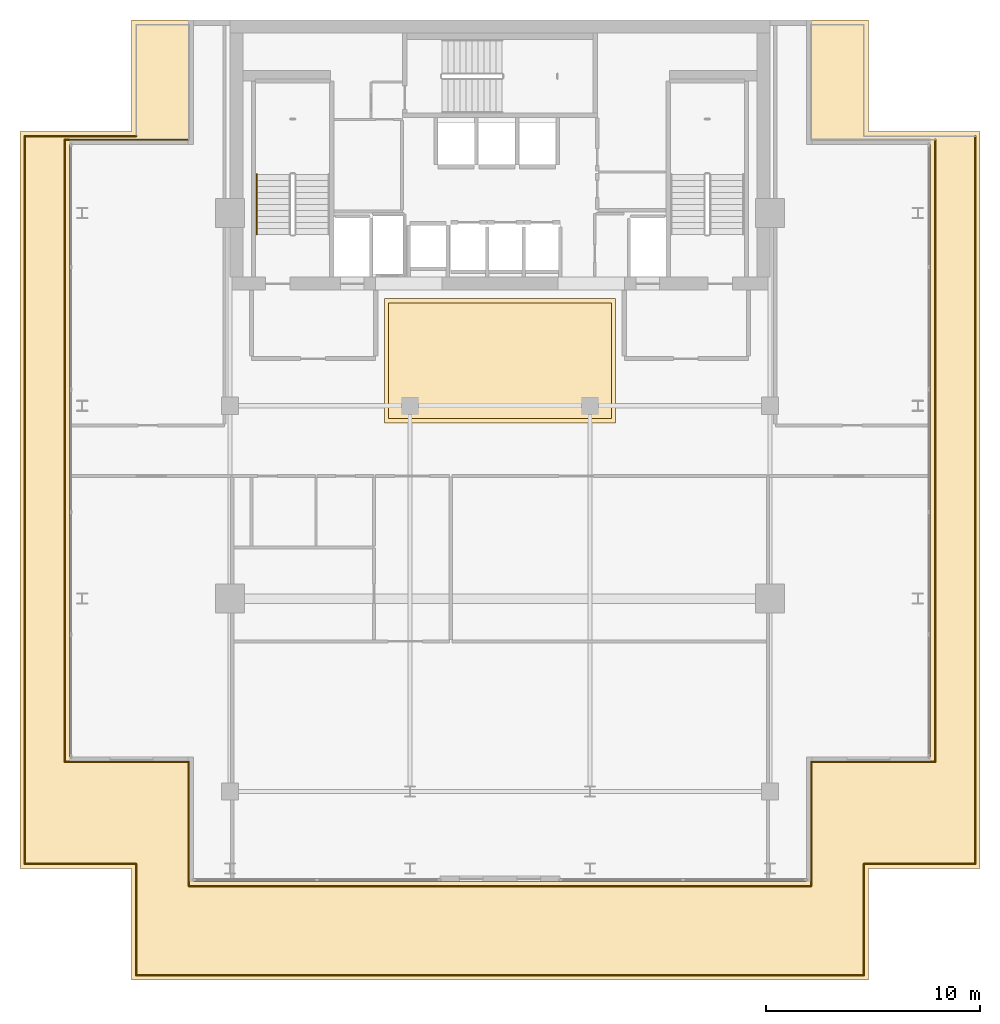
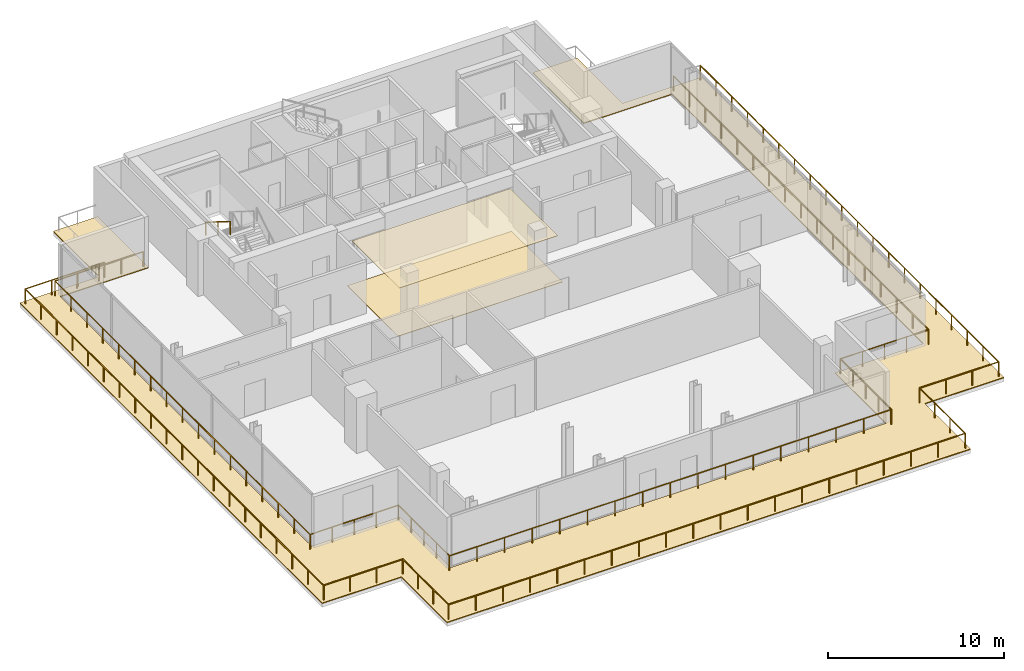
# One storey, part 19 of 21: 17 railings, 3 coverings.
"""IFC4 building model written with IfcOpenShell, lengths in metres."""

from ifc_helpers import new_model, si_unit, direction, frame, origin, origin_2d, place, context, subcontext, project, spatial, polyline, circle, outline, extrude, material, layer, layer_set, type_object, element, save


model = new_model("IFC4")

# Units and contexts
model_context = context("Model", 3, precision=1e-05, world=origin(), true_north=direction((0.0, 1.0)))
body_context = subcontext(model_context, "Body", "Model", "MODEL_VIEW")
ifc_project = project(units=[si_unit("LENGTHUNIT", "METRE"), si_unit("AREAUNIT", "SQUARE_METRE"), si_unit("VOLUMEUNIT", "CUBIC_METRE"), si_unit("PLANEANGLEUNIT", "RADIAN"), si_unit("MASSUNIT", "GRAM", prefix="KILO")], contexts=[model_context])

# Site, building, storey
site_placement = place(None, origin())
site = spatial("IfcSite", under=ifc_project, at=site_placement, CompositionType="ELEMENT")
building_placement = place(site_placement, origin())
building = spatial("IfcBuilding", under=site, at=building_placement, Name="Maruvema Waterfront Hotel and Observation Tower", CompositionType="ELEMENT")
storey_placement = place(building_placement, frame((0.0, 0.0, 322.0)))
storey = spatial("IfcBuildingStorey", under=building, at=storey_placement, Name="L79", CompositionType="ELEMENT", Elevation=322.0)

# Coverings
ifc_material_1 = material(Name="SBS modified bitumen waterproofing with granite ballast", Category="masonry")
ifc_layer_1 = layer(ifc_material_1, 0.090087890625, Name="Elastomeric Waterproof Roof Membrane and Granite Ballast 90 mm")
ifc_layer_set_1 = layer_set([ifc_layer_1], Name="SBS modified bitumen waterproofing with granite ballast")
covering_type_1 = type_object("IfcCoveringType", Name="Elastomeric Waterproof Roof Membrane and Granite Ballast 90 mm", PredefinedType="ROOFING", material=ifc_layer_set_1)
covering_1_placement = place(storey_placement, origin())
element("IfcCovering", 1, at=covering_1_placement, inside=storey, type_object=covering_type_1, Name="L79 Setback Terrace Waterproofing and Pavers 1", PredefinedType="ROOFING", context=body_context, shape_type="SweptSolid", body=[
    extrude(outline(polyline([(55.0, 54.0), (55.0, 48.800048828125), (60.199951171875, 48.800048828125), (60.199951171875, 14.39990234375), (55.0, 14.39990234375), (55.0, 9.199951171875), (20.60009765625, 9.199951171875), (20.60009765625, 14.39990234375), (15.39990234375, 14.39990234375), (15.39990234375, 48.800048828125), (20.60009765625, 48.800048828125), (20.60009765625, 54.0), (23.5, 54.0), (23.5, 48.199951171875), (17.699951171875, 48.199951171875), (17.699951171875, 19.60009765625), (23.5, 19.60009765625), (23.5, 13.800048828125), (52.10009765625, 13.800048828125), (52.10009765625, 19.60009765625), (57.89990234375, 19.60009765625), (57.89990234375, 48.199951171875), (52.10009765625, 48.199951171875), (52.10009765625, 54.0), (55.0, 54.0)])), origin(), (0.0, 0.0, 1.0), 0.06005859375),
])
ifc_material_2 = material(Name="Honed Pernambuco warm granite", Category="masonry")
ifc_layer_2 = layer(ifc_material_2, 0.030029296875, Name="Honed Pernambuco Granite Lobby Flooring 30 mm")
ifc_layer_set_2 = layer_set([ifc_layer_2], Name="Honed Pernambuco warm granite")
covering_type_2 = type_object("IfcCoveringType", Name="Honed Pernambuco Granite Lobby Flooring 30 mm", PredefinedType="FLOORING", material=ifc_layer_set_2)
covering_2_placement = place(storey_placement, origin())
element("IfcCovering", 2, at=covering_2_placement, inside=storey, type_object=covering_type_2, Name="L79 Sky Concourse Granite Flooring", PredefinedType="FLOORING", context=body_context, shape_type="SweptSolid", body=[
    extrude(outline(polyline([(32.39990234375, 35.199951171875), (43.199951171875, 35.199951171875), (43.199951171875, 41.0), (32.39990234375, 41.0), (32.39990234375, 35.199951171875)])), origin(), (0.0, 0.0, 1.0), 0.030029296875),
])
ifc_material_3 = material(Name="Perforated acoustic gypsum board", Category="gypsum")
ifc_layer_3 = layer(ifc_material_3, 0.02490234375, Name="Perforated Acoustic Gypsum Suspended Ceiling 25 mm")
ifc_layer_set_3 = layer_set([ifc_layer_3], Name="Perforated acoustic gypsum board")
covering_type_3 = type_object("IfcCoveringType", Name="Perforated Acoustic Gypsum Suspended Ceiling 25 mm", PredefinedType="CEILING", material=ifc_layer_set_3)
covering_3_placement = place(storey_placement, frame((0.0, 0.0, 3.159912109375)))
element("IfcCovering", 3, at=covering_3_placement, inside=storey, type_object=covering_type_3, Name="L79 Sky Concourse Acoustic Ceiling", PredefinedType="CEILING", context=body_context, shape_type="SweptSolid", body=[
    extrude(outline(polyline([(32.60009765625, 35.39990234375), (43.0, 35.39990234375), (43.0, 40.800048828125), (32.60009765625, 40.800048828125), (32.60009765625, 35.39990234375)])), origin(), (0.0, 0.0, 1.0), 0.025146484375),
])

# Railings
ifc_material_4 = material(Name="Brushed stainless steel Grade 316", Category="steel")
railing_type_1 = type_object("IfcRailingType", Name="Ramp Continuous Wall Handrail 920 mm", PredefinedType="HANDRAIL", material=ifc_material_4)
railing_1_placement = place(storey_placement, frame((26.449951171875, 46.800048828125, 2.10009765625)))
element("IfcRailing", 4, at=railing_1_placement, inside=storey, type_object=railing_type_1, Name="L79 ST-01 stair handrail 2", PredefinedType="HANDRAIL", context=body_context, shape_type="SweptSolid", body=[
    extrude(circle(Radius=0.02392578125, at=origin_2d()), frame((0.0, 0.0, 0.89599609375), z_axis=(0.0, -0.848002457836, 0.529992293815), x_axis=(1.0, 0.0, 0.0)), (0.0, 0.0, 1.0), 3.302001953125),
    extrude(circle(Radius=0.02099609375, at=origin_2d()), origin(), (0.0, 0.0, 1.0), 0.871826171875),
    extrude(circle(Radius=0.02099609375, at=origin_2d()), frame((0.0, -1.39990234375, 0.875)), (0.0, 0.0, 1.0), 0.871826171875),
    extrude(circle(Radius=0.02099609375, at=origin_2d()), frame((0.0, -2.800048828125, 1.75)), (0.0, 0.0, 1.0), 0.871826171875),
])
ifc_material_5 = material(Name="Brushed stainless steel Grade 316", Category="steel")
railing_type_2 = type_object("IfcRailingType", Name="Ramp and Terrace Guard Balustrade 1100 mm", PredefinedType="BALUSTRADE", material=ifc_material_5)
railing_2_placement = place(storey_placement, frame((59.97998046875, 48.580078125, 0.0)))
element("IfcRailing", 5, at=railing_2_placement, inside=storey, type_object=railing_type_2, Name="L79 Perimeter Safety Balustrade 3", PredefinedType="BALUSTRADE", context=body_context, shape_type="SweptSolid", body=[
    extrude(circle(Radius=0.02392578125, at=origin_2d()), frame((0.0, 0.0, 1.076171875), z_axis=(0.0, -1.0, 0.0), x_axis=(1.0, 0.0, 0.0)), (0.0, 0.0, 1.0), 33.9599609375),
    extrude(circle(Radius=0.02099609375, at=origin_2d()), origin(), (0.0, 0.0, 1.0), 1.052001953125),
    extrude(circle(Radius=0.02099609375, at=origin_2d()), frame((0.0, -1.787353515625, 0.0)), (0.0, 0.0, 1.0), 1.052001953125),
    extrude(circle(Radius=0.02099609375, at=origin_2d()), frame((0.0, -3.57470703125, 0.0)), (0.0, 0.0, 1.0), 1.052001953125),
    extrude(circle(Radius=0.02099609375, at=origin_2d()), frame((0.0, -5.362060546875, 0.0)), (0.0, 0.0, 1.0), 1.052001953125),
    extrude(circle(Radius=0.02099609375, at=origin_2d()), frame((0.0, -7.1494140625, 0.0)), (0.0, 0.0, 1.0), 1.052001953125),
    extrude(circle(Radius=0.02099609375, at=origin_2d()), frame((0.0, -8.936767578125, 0.0)), (0.0, 0.0, 1.0), 1.052001953125),
    extrude(circle(Radius=0.02099609375, at=origin_2d()), frame((0.0, -10.72412109375, 0.0)), (0.0, 0.0, 1.0), 1.052001953125),
    extrude(circle(Radius=0.02099609375, at=origin_2d()), frame((0.0, -12.511474609375, 0.0)), (0.0, 0.0, 1.0), 1.052001953125),
    extrude(circle(Radius=0.02099609375, at=origin_2d()), frame((0.0, -14.298828125, 0.0)), (0.0, 0.0, 1.0), 1.052001953125),
    extrude(circle(Radius=0.02099609375, at=origin_2d()), frame((0.0, -16.086181640625, 0.0)), (0.0, 0.0, 1.0), 1.052001953125),
    extrude(circle(Radius=0.02099609375, at=origin_2d()), frame((0.0, -17.873779296875, 0.0)), (0.0, 0.0, 1.0), 1.052001953125),
    extrude(circle(Radius=0.02099609375, at=origin_2d()), frame((0.0, -19.6611328125, 0.0)), (0.0, 0.0, 1.0), 1.052001953125),
    extrude(circle(Radius=0.02099609375, at=origin_2d()), frame((0.0, -21.448486328125, 0.0)), (0.0, 0.0, 1.0), 1.052001953125),
    extrude(circle(Radius=0.02099609375, at=origin_2d()), frame((0.0, -23.23583984375, 0.0)), (0.0, 0.0, 1.0), 1.052001953125),
    extrude(circle(Radius=0.02099609375, at=origin_2d()), frame((0.0, -25.023193359375, 0.0)), (0.0, 0.0, 1.0), 1.052001953125),
    extrude(circle(Radius=0.02099609375, at=origin_2d()), frame((0.0, -26.810546875, 0.0)), (0.0, 0.0, 1.0), 1.052001953125),
    extrude(circle(Radius=0.02099609375, at=origin_2d()), frame((0.0, -28.597900390625, 0.0)), (0.0, 0.0, 1.0), 1.052001953125),
    extrude(circle(Radius=0.02099609375, at=origin_2d()), frame((0.0, -30.38525390625, 0.0)), (0.0, 0.0, 1.0), 1.052001953125),
    extrude(circle(Radius=0.02099609375, at=origin_2d()), frame((0.0, -32.172607421875, 0.0)), (0.0, 0.0, 1.0), 1.052001953125),
    extrude(circle(Radius=0.02099609375, at=origin_2d()), frame((0.0, -33.9599609375, 0.0)), (0.0, 0.0, 1.0), 1.052001953125),
])
railing_3_placement = place(storey_placement, frame((59.97998046875, 14.6201171875, 0.0)))
element("IfcRailing", 6, at=railing_3_placement, inside=storey, type_object=railing_type_2, Name="L79 Perimeter Safety Balustrade 4", PredefinedType="BALUSTRADE", context=body_context, shape_type="SweptSolid", body=[
    extrude(circle(Radius=0.02392578125, at=origin_2d()), frame((0.0, 0.0, 1.076171875), z_axis=(-1.0, 0.0, 0.0), x_axis=(0.0, -1.0, 0.0)), (0.0, 0.0, 1.0), 5.199951171875),
    extrude(circle(Radius=0.02099609375, at=origin_2d()), origin(), (0.0, 0.0, 1.0), 1.052001953125),
    extrude(circle(Radius=0.02099609375, at=origin_2d()), frame((-1.7333984375, 0.0, 0.0)), (0.0, 0.0, 1.0), 1.052001953125),
    extrude(circle(Radius=0.02099609375, at=origin_2d()), frame((-3.466552734375, 0.0, 0.0)), (0.0, 0.0, 1.0), 1.052001953125),
    extrude(circle(Radius=0.02099609375, at=origin_2d()), frame((-5.199951171875, 0.0, 0.0)), (0.0, 0.0, 1.0), 1.052001953125),
])
railing_4_placement = place(storey_placement, frame((54.780029296875, 14.6201171875, 0.0)))
element("IfcRailing", 7, at=railing_4_placement, inside=storey, type_object=railing_type_2, Name="L79 Perimeter Safety Balustrade 5", PredefinedType="BALUSTRADE", context=body_context, shape_type="SweptSolid", body=[
    extrude(circle(Radius=0.02392578125, at=origin_2d()), frame((0.0, 0.0, 1.076171875), z_axis=(0.0, -1.0, 0.0), x_axis=(1.0, 0.0, 0.0)), (0.0, 0.0, 1.0), 5.2001953125),
    extrude(circle(Radius=0.02099609375, at=origin_2d()), origin(), (0.0, 0.0, 1.0), 1.052001953125),
    extrude(circle(Radius=0.02099609375, at=origin_2d()), frame((0.0, -1.7333984375, 0.0)), (0.0, 0.0, 1.0), 1.052001953125),
    extrude(circle(Radius=0.02099609375, at=origin_2d()), frame((0.0, -3.466796875, 0.0)), (0.0, 0.0, 1.0), 1.052001953125),
    extrude(circle(Radius=0.02099609375, at=origin_2d()), frame((0.0, -5.2001953125, 0.0)), (0.0, 0.0, 1.0), 1.052001953125),
])
railing_5_placement = place(storey_placement, frame((54.780029296875, 9.419921875, 0.0)))
element("IfcRailing", 8, at=railing_5_placement, inside=storey, type_object=railing_type_2, Name="L79 Perimeter Safety Balustrade 6", PredefinedType="BALUSTRADE", context=body_context, shape_type="SweptSolid", body=[
    extrude(circle(Radius=0.02392578125, at=origin_2d()), frame((0.0, 0.0, 1.076171875), z_axis=(-1.0, 0.0, 0.0), x_axis=(0.0, -1.0, 0.0)), (0.0, 0.0, 1.0), 33.9599609375),
    extrude(circle(Radius=0.02099609375, at=origin_2d()), origin(), (0.0, 0.0, 1.0), 1.052001953125),
    extrude(circle(Radius=0.02099609375, at=origin_2d()), frame((-1.787353515625, 0.0, 0.0)), (0.0, 0.0, 1.0), 1.052001953125),
    extrude(circle(Radius=0.02099609375, at=origin_2d()), frame((-3.57470703125, 0.0, 0.0)), (0.0, 0.0, 1.0), 1.052001953125),
    extrude(circle(Radius=0.02099609375, at=origin_2d()), frame((-5.362060546875, 0.0, 0.0)), (0.0, 0.0, 1.0), 1.052001953125),
    extrude(circle(Radius=0.02099609375, at=origin_2d()), frame((-7.1494140625, 0.0, 0.0)), (0.0, 0.0, 1.0), 1.052001953125),
    extrude(circle(Radius=0.02099609375, at=origin_2d()), frame((-8.936767578125, 0.0, 0.0)), (0.0, 0.0, 1.0), 1.052001953125),
    extrude(circle(Radius=0.02099609375, at=origin_2d()), frame((-10.72412109375, 0.0, 0.0)), (0.0, 0.0, 1.0), 1.052001953125),
    extrude(circle(Radius=0.02099609375, at=origin_2d()), frame((-12.511474609375, 0.0, 0.0)), (0.0, 0.0, 1.0), 1.052001953125),
    extrude(circle(Radius=0.02099609375, at=origin_2d()), frame((-14.298828125, 0.0, 0.0)), (0.0, 0.0, 1.0), 1.052001953125),
    extrude(circle(Radius=0.02099609375, at=origin_2d()), frame((-16.086181640625, 0.0, 0.0)), (0.0, 0.0, 1.0), 1.052001953125),
    extrude(circle(Radius=0.02099609375, at=origin_2d()), frame((-17.873779296875, 0.0, 0.0)), (0.0, 0.0, 1.0), 1.052001953125),
    extrude(circle(Radius=0.02099609375, at=origin_2d()), frame((-19.6611328125, 0.0, 0.0)), (0.0, 0.0, 1.0), 1.052001953125),
    extrude(circle(Radius=0.02099609375, at=origin_2d()), frame((-21.448486328125, 0.0, 0.0)), (0.0, 0.0, 1.0), 1.052001953125),
    extrude(circle(Radius=0.02099609375, at=origin_2d()), frame((-23.23583984375, 0.0, 0.0)), (0.0, 0.0, 1.0), 1.052001953125),
    extrude(circle(Radius=0.02099609375, at=origin_2d()), frame((-25.023193359375, 0.0, 0.0)), (0.0, 0.0, 1.0), 1.052001953125),
    extrude(circle(Radius=0.02099609375, at=origin_2d()), frame((-26.810546875, 0.0, 0.0)), (0.0, 0.0, 1.0), 1.052001953125),
    extrude(circle(Radius=0.02099609375, at=origin_2d()), frame((-28.597900390625, 0.0, 0.0)), (0.0, 0.0, 1.0), 1.052001953125),
    extrude(circle(Radius=0.02099609375, at=origin_2d()), frame((-30.38525390625, 0.0, 0.0)), (0.0, 0.0, 1.0), 1.052001953125),
    extrude(circle(Radius=0.02099609375, at=origin_2d()), frame((-32.172607421875, 0.0, 0.0)), (0.0, 0.0, 1.0), 1.052001953125),
    extrude(circle(Radius=0.02099609375, at=origin_2d()), frame((-33.9599609375, 0.0, 0.0)), (0.0, 0.0, 1.0), 1.052001953125),
])
railing_6_placement = place(storey_placement, frame((20.820068359375, 9.419921875, 0.0)))
element("IfcRailing", 9, at=railing_6_placement, inside=storey, type_object=railing_type_2, Name="L79 Perimeter Safety Balustrade 7", PredefinedType="BALUSTRADE", context=body_context, shape_type="SweptSolid", body=[
    extrude(circle(Radius=0.02392578125, at=origin_2d()), frame((0.0, 0.0, 1.076171875), z_axis=(0.0, 1.0, 0.0), x_axis=(-1.0, 0.0, 0.0)), (0.0, 0.0, 1.0), 5.2001953125),
    extrude(circle(Radius=0.02099609375, at=origin_2d()), origin(), (0.0, 0.0, 1.0), 1.052001953125),
    extrude(circle(Radius=0.02099609375, at=origin_2d()), frame((0.0, 1.7333984375, 0.0)), (0.0, 0.0, 1.0), 1.052001953125),
    extrude(circle(Radius=0.02099609375, at=origin_2d()), frame((0.0, 3.466796875, 0.0)), (0.0, 0.0, 1.0), 1.052001953125),
    extrude(circle(Radius=0.02099609375, at=origin_2d()), frame((0.0, 5.2001953125, 0.0)), (0.0, 0.0, 1.0), 1.052001953125),
])
railing_7_placement = place(storey_placement, frame((20.820068359375, 14.6201171875, 0.0)))
element("IfcRailing", 10, at=railing_7_placement, inside=storey, type_object=railing_type_2, Name="L79 Perimeter Safety Balustrade 8", PredefinedType="BALUSTRADE", context=body_context, shape_type="SweptSolid", body=[
    extrude(circle(Radius=0.02392578125, at=origin_2d()), frame((0.0, 0.0, 1.076171875), z_axis=(-1.0, 0.0, 0.0), x_axis=(0.0, -1.0, 0.0)), (0.0, 0.0, 1.0), 5.199951171875),
    extrude(circle(Radius=0.02099609375, at=origin_2d()), origin(), (0.0, 0.0, 1.0), 1.052001953125),
    extrude(circle(Radius=0.02099609375, at=origin_2d()), frame((-1.7333984375, 0.0, 0.0)), (0.0, 0.0, 1.0), 1.052001953125),
    extrude(circle(Radius=0.02099609375, at=origin_2d()), frame((-3.466552734375, 0.0, 0.0)), (0.0, 0.0, 1.0), 1.052001953125),
    extrude(circle(Radius=0.02099609375, at=origin_2d()), frame((-5.199951171875, 0.0, 0.0)), (0.0, 0.0, 1.0), 1.052001953125),
])
railing_8_placement = place(storey_placement, frame((15.6201171875, 14.6201171875, 0.0)))
element("IfcRailing", 11, at=railing_8_placement, inside=storey, type_object=railing_type_2, Name="L79 Perimeter Safety Balustrade 9", PredefinedType="BALUSTRADE", context=body_context, shape_type="SweptSolid", body=[
    extrude(circle(Radius=0.02392578125, at=origin_2d()), frame((0.0, 0.0, 1.076171875), z_axis=(0.0, 1.0, 0.0), x_axis=(-1.0, 0.0, 0.0)), (0.0, 0.0, 1.0), 33.9599609375),
    extrude(circle(Radius=0.02099609375, at=origin_2d()), origin(), (0.0, 0.0, 1.0), 1.052001953125),
    extrude(circle(Radius=0.02099609375, at=origin_2d()), frame((0.0, 1.787353515625, 0.0)), (0.0, 0.0, 1.0), 1.052001953125),
    extrude(circle(Radius=0.02099609375, at=origin_2d()), frame((0.0, 3.57470703125, 0.0)), (0.0, 0.0, 1.0), 1.052001953125),
    extrude(circle(Radius=0.02099609375, at=origin_2d()), frame((0.0, 5.362060546875, 0.0)), (0.0, 0.0, 1.0), 1.052001953125),
    extrude(circle(Radius=0.02099609375, at=origin_2d()), frame((0.0, 7.1494140625, 0.0)), (0.0, 0.0, 1.0), 1.052001953125),
    extrude(circle(Radius=0.02099609375, at=origin_2d()), frame((0.0, 8.936767578125, 0.0)), (0.0, 0.0, 1.0), 1.052001953125),
    extrude(circle(Radius=0.02099609375, at=origin_2d()), frame((0.0, 10.72412109375, 0.0)), (0.0, 0.0, 1.0), 1.052001953125),
    extrude(circle(Radius=0.02099609375, at=origin_2d()), frame((0.0, 12.511474609375, 0.0)), (0.0, 0.0, 1.0), 1.052001953125),
    extrude(circle(Radius=0.02099609375, at=origin_2d()), frame((0.0, 14.298828125, 0.0)), (0.0, 0.0, 1.0), 1.052001953125),
    extrude(circle(Radius=0.02099609375, at=origin_2d()), frame((0.0, 16.086181640625, 0.0)), (0.0, 0.0, 1.0), 1.052001953125),
    extrude(circle(Radius=0.02099609375, at=origin_2d()), frame((0.0, 17.873779296875, 0.0)), (0.0, 0.0, 1.0), 1.052001953125),
    extrude(circle(Radius=0.02099609375, at=origin_2d()), frame((0.0, 19.6611328125, 0.0)), (0.0, 0.0, 1.0), 1.052001953125),
    extrude(circle(Radius=0.02099609375, at=origin_2d()), frame((0.0, 21.448486328125, 0.0)), (0.0, 0.0, 1.0), 1.052001953125),
    extrude(circle(Radius=0.02099609375, at=origin_2d()), frame((0.0, 23.23583984375, 0.0)), (0.0, 0.0, 1.0), 1.052001953125),
    extrude(circle(Radius=0.02099609375, at=origin_2d()), frame((0.0, 25.023193359375, 0.0)), (0.0, 0.0, 1.0), 1.052001953125),
    extrude(circle(Radius=0.02099609375, at=origin_2d()), frame((0.0, 26.810546875, 0.0)), (0.0, 0.0, 1.0), 1.052001953125),
    extrude(circle(Radius=0.02099609375, at=origin_2d()), frame((0.0, 28.597900390625, 0.0)), (0.0, 0.0, 1.0), 1.052001953125),
    extrude(circle(Radius=0.02099609375, at=origin_2d()), frame((0.0, 30.38525390625, 0.0)), (0.0, 0.0, 1.0), 1.052001953125),
    extrude(circle(Radius=0.02099609375, at=origin_2d()), frame((0.0, 32.172607421875, 0.0)), (0.0, 0.0, 1.0), 1.052001953125),
    extrude(circle(Radius=0.02099609375, at=origin_2d()), frame((0.0, 33.9599609375, 0.0)), (0.0, 0.0, 1.0), 1.052001953125),
])
railing_9_placement = place(storey_placement, frame((15.6201171875, 48.580078125, 0.0)))
element("IfcRailing", 12, at=railing_9_placement, inside=storey, type_object=railing_type_2, Name="L79 Perimeter Safety Balustrade 10", PredefinedType="BALUSTRADE", context=body_context, shape_type="SweptSolid", body=[
    extrude(circle(Radius=0.02392578125, at=origin_2d()), frame((0.0, 0.0, 1.076171875), z_axis=(1.0, 0.0, 0.0), x_axis=(0.0, 1.0, 0.0)), (0.0, 0.0, 1.0), 5.199951171875),
    extrude(circle(Radius=0.02099609375, at=origin_2d()), origin(), (0.0, 0.0, 1.0), 1.052001953125),
    extrude(circle(Radius=0.02099609375, at=origin_2d()), frame((1.7333984375, 0.0, 0.0)), (0.0, 0.0, 1.0), 1.052001953125),
    extrude(circle(Radius=0.02099609375, at=origin_2d()), frame((3.466552734375, 0.0, 0.0)), (0.0, 0.0, 1.0), 1.052001953125),
    extrude(circle(Radius=0.02099609375, at=origin_2d()), frame((5.199951171875, 0.0, 0.0)), (0.0, 0.0, 1.0), 1.052001953125),
])
railing_10_placement = place(storey_placement, frame((23.280029296875, 48.419921875, 0.0)))
element("IfcRailing", 13, at=railing_10_placement, inside=storey, type_object=railing_type_2, Name="L79 Perimeter Safety Balustrade 14", PredefinedType="BALUSTRADE", context=body_context, shape_type="SweptSolid", body=[
    extrude(circle(Radius=0.02392578125, at=origin_2d()), frame((0.0, 0.0, 1.076171875), z_axis=(-1.0, 0.0, 0.0), x_axis=(0.0, -1.0, 0.0)), (0.0, 0.0, 1.0), 5.800048828125),
    extrude(circle(Radius=0.02099609375, at=origin_2d()), origin(), (0.0, 0.0, 1.0), 1.052001953125),
    extrude(circle(Radius=0.02099609375, at=origin_2d()), frame((-1.449951171875, 0.0, 0.0)), (0.0, 0.0, 1.0), 1.052001953125),
    extrude(circle(Radius=0.02099609375, at=origin_2d()), frame((-2.89990234375, 0.0, 0.0)), (0.0, 0.0, 1.0), 1.052001953125),
    extrude(circle(Radius=0.02099609375, at=origin_2d()), frame((-4.35009765625, 0.0, 0.0)), (0.0, 0.0, 1.0), 1.052001953125),
    extrude(circle(Radius=0.02099609375, at=origin_2d()), frame((-5.800048828125, 0.0, 0.0)), (0.0, 0.0, 1.0), 1.052001953125),
])
railing_11_placement = place(storey_placement, frame((17.47998046875, 48.419921875, 0.0)))
element("IfcRailing", 14, at=railing_11_placement, inside=storey, type_object=railing_type_2, Name="L79 Perimeter Safety Balustrade 15", PredefinedType="BALUSTRADE", context=body_context, shape_type="SweptSolid", body=[
    extrude(circle(Radius=0.02392578125, at=origin_2d()), frame((0.0, 0.0, 1.076171875), z_axis=(0.0, -1.0, 0.0), x_axis=(1.0, 0.0, 0.0)), (0.0, 0.0, 1.0), 29.0400390625),
    extrude(circle(Radius=0.02099609375, at=origin_2d()), origin(), (0.0, 0.0, 1.0), 1.052001953125),
    extrude(circle(Radius=0.02099609375, at=origin_2d()), frame((0.0, -1.81494140625, 0.0)), (0.0, 0.0, 1.0), 1.052001953125),
    extrude(circle(Radius=0.02099609375, at=origin_2d()), frame((0.0, -3.6298828125, 0.0)), (0.0, 0.0, 1.0), 1.052001953125),
    extrude(circle(Radius=0.02099609375, at=origin_2d()), frame((0.0, -5.445068359375, 0.0)), (0.0, 0.0, 1.0), 1.052001953125),
    extrude(circle(Radius=0.02099609375, at=origin_2d()), frame((0.0, -7.260009765625, 0.0)), (0.0, 0.0, 1.0), 1.052001953125),
    extrude(circle(Radius=0.02099609375, at=origin_2d()), frame((0.0, -9.074951171875, 0.0)), (0.0, 0.0, 1.0), 1.052001953125),
    extrude(circle(Radius=0.02099609375, at=origin_2d()), frame((0.0, -10.89013671875, 0.0)), (0.0, 0.0, 1.0), 1.052001953125),
    extrude(circle(Radius=0.02099609375, at=origin_2d()), frame((0.0, -12.705078125, 0.0)), (0.0, 0.0, 1.0), 1.052001953125),
    extrude(circle(Radius=0.02099609375, at=origin_2d()), frame((0.0, -14.52001953125, 0.0)), (0.0, 0.0, 1.0), 1.052001953125),
    extrude(circle(Radius=0.02099609375, at=origin_2d()), frame((0.0, -16.3349609375, 0.0)), (0.0, 0.0, 1.0), 1.052001953125),
    extrude(circle(Radius=0.02099609375, at=origin_2d()), frame((0.0, -18.14990234375, 0.0)), (0.0, 0.0, 1.0), 1.052001953125),
    extrude(circle(Radius=0.02099609375, at=origin_2d()), frame((0.0, -19.965087890625, 0.0)), (0.0, 0.0, 1.0), 1.052001953125),
    extrude(circle(Radius=0.02099609375, at=origin_2d()), frame((0.0, -21.780029296875, 0.0)), (0.0, 0.0, 1.0), 1.052001953125),
    extrude(circle(Radius=0.02099609375, at=origin_2d()), frame((0.0, -23.594970703125, 0.0)), (0.0, 0.0, 1.0), 1.052001953125),
    extrude(circle(Radius=0.02099609375, at=origin_2d()), frame((0.0, -25.41015625, 0.0)), (0.0, 0.0, 1.0), 1.052001953125),
    extrude(circle(Radius=0.02099609375, at=origin_2d()), frame((0.0, -27.22509765625, 0.0)), (0.0, 0.0, 1.0), 1.052001953125),
    extrude(circle(Radius=0.02099609375, at=origin_2d()), frame((0.0, -29.0400390625, 0.0)), (0.0, 0.0, 1.0), 1.052001953125),
])
railing_12_placement = place(storey_placement, frame((17.47998046875, 19.3798828125, 0.0)))
element("IfcRailing", 15, at=railing_12_placement, inside=storey, type_object=railing_type_2, Name="L79 Perimeter Safety Balustrade 16", PredefinedType="BALUSTRADE", context=body_context, shape_type="SweptSolid", body=[
    extrude(circle(Radius=0.02392578125, at=origin_2d()), frame((0.0, 0.0, 1.076171875), z_axis=(1.0, 0.0, 0.0), x_axis=(0.0, 1.0, 0.0)), (0.0, 0.0, 1.0), 5.800048828125),
    extrude(circle(Radius=0.02099609375, at=origin_2d()), origin(), (0.0, 0.0, 1.0), 1.052001953125),
    extrude(circle(Radius=0.02099609375, at=origin_2d()), frame((1.449951171875, 0.0, 0.0)), (0.0, 0.0, 1.0), 1.052001953125),
    extrude(circle(Radius=0.02099609375, at=origin_2d()), frame((2.89990234375, 0.0, 0.0)), (0.0, 0.0, 1.0), 1.052001953125),
    extrude(circle(Radius=0.02099609375, at=origin_2d()), frame((4.35009765625, 0.0, 0.0)), (0.0, 0.0, 1.0), 1.052001953125),
    extrude(circle(Radius=0.02099609375, at=origin_2d()), frame((5.800048828125, 0.0, 0.0)), (0.0, 0.0, 1.0), 1.052001953125),
])
railing_13_placement = place(storey_placement, frame((23.280029296875, 19.3798828125, 0.0)))
element("IfcRailing", 16, at=railing_13_placement, inside=storey, type_object=railing_type_2, Name="L79 Perimeter Safety Balustrade 17", PredefinedType="BALUSTRADE", context=body_context, shape_type="SweptSolid", body=[
    extrude(circle(Radius=0.02392578125, at=origin_2d()), frame((0.0, 0.0, 1.076171875), z_axis=(0.0, -1.0, 0.0), x_axis=(1.0, 0.0, 0.0)), (0.0, 0.0, 1.0), 5.7998046875),
    extrude(circle(Radius=0.02099609375, at=origin_2d()), origin(), (0.0, 0.0, 1.0), 1.052001953125),
    extrude(circle(Radius=0.02099609375, at=origin_2d()), frame((0.0, -1.449951171875, 0.0)), (0.0, 0.0, 1.0), 1.052001953125),
    extrude(circle(Radius=0.02099609375, at=origin_2d()), frame((0.0, -2.89990234375, 0.0)), (0.0, 0.0, 1.0), 1.052001953125),
    extrude(circle(Radius=0.02099609375, at=origin_2d()), frame((0.0, -4.349853515625, 0.0)), (0.0, 0.0, 1.0), 1.052001953125),
    extrude(circle(Radius=0.02099609375, at=origin_2d()), frame((0.0, -5.7998046875, 0.0)), (0.0, 0.0, 1.0), 1.052001953125),
])
railing_14_placement = place(storey_placement, frame((23.280029296875, 13.580078125, 0.0)))
element("IfcRailing", 17, at=railing_14_placement, inside=storey, type_object=railing_type_2, Name="L79 Perimeter Safety Balustrade 18", PredefinedType="BALUSTRADE", context=body_context, shape_type="SweptSolid", body=[
    extrude(circle(Radius=0.02392578125, at=origin_2d()), frame((0.0, 0.0, 1.076171875), z_axis=(1.0, 0.0, 0.0), x_axis=(0.0, 1.0, 0.0)), (0.0, 0.0, 1.0), 29.0400390625),
    extrude(circle(Radius=0.02099609375, at=origin_2d()), origin(), (0.0, 0.0, 1.0), 1.052001953125),
    extrude(circle(Radius=0.02099609375, at=origin_2d()), frame((1.81494140625, 0.0, 0.0)), (0.0, 0.0, 1.0), 1.052001953125),
    extrude(circle(Radius=0.02099609375, at=origin_2d()), frame((3.6298828125, 0.0, 0.0)), (0.0, 0.0, 1.0), 1.052001953125),
    extrude(circle(Radius=0.02099609375, at=origin_2d()), frame((5.445068359375, 0.0, 0.0)), (0.0, 0.0, 1.0), 1.052001953125),
    extrude(circle(Radius=0.02099609375, at=origin_2d()), frame((7.260009765625, 0.0, 0.0)), (0.0, 0.0, 1.0), 1.052001953125),
    extrude(circle(Radius=0.02099609375, at=origin_2d()), frame((9.074951171875, 0.0, 0.0)), (0.0, 0.0, 1.0), 1.052001953125),
    extrude(circle(Radius=0.02099609375, at=origin_2d()), frame((10.89013671875, 0.0, 0.0)), (0.0, 0.0, 1.0), 1.052001953125),
    extrude(circle(Radius=0.02099609375, at=origin_2d()), frame((12.705078125, 0.0, 0.0)), (0.0, 0.0, 1.0), 1.052001953125),
    extrude(circle(Radius=0.02099609375, at=origin_2d()), frame((14.52001953125, 0.0, 0.0)), (0.0, 0.0, 1.0), 1.052001953125),
    extrude(circle(Radius=0.02099609375, at=origin_2d()), frame((16.3349609375, 0.0, 0.0)), (0.0, 0.0, 1.0), 1.052001953125),
    extrude(circle(Radius=0.02099609375, at=origin_2d()), frame((18.14990234375, 0.0, 0.0)), (0.0, 0.0, 1.0), 1.052001953125),
    extrude(circle(Radius=0.02099609375, at=origin_2d()), frame((19.965087890625, 0.0, 0.0)), (0.0, 0.0, 1.0), 1.052001953125),
    extrude(circle(Radius=0.02099609375, at=origin_2d()), frame((21.780029296875, 0.0, 0.0)), (0.0, 0.0, 1.0), 1.052001953125),
    extrude(circle(Radius=0.02099609375, at=origin_2d()), frame((23.594970703125, 0.0, 0.0)), (0.0, 0.0, 1.0), 1.052001953125),
    extrude(circle(Radius=0.02099609375, at=origin_2d()), frame((25.41015625, 0.0, 0.0)), (0.0, 0.0, 1.0), 1.052001953125),
    extrude(circle(Radius=0.02099609375, at=origin_2d()), frame((27.22509765625, 0.0, 0.0)), (0.0, 0.0, 1.0), 1.052001953125),
    extrude(circle(Radius=0.02099609375, at=origin_2d()), frame((29.0400390625, 0.0, 0.0)), (0.0, 0.0, 1.0), 1.052001953125),
])
railing_15_placement = place(storey_placement, frame((52.320068359375, 13.580078125, 0.0)))
element("IfcRailing", 18, at=railing_15_placement, inside=storey, type_object=railing_type_2, Name="L79 Perimeter Safety Balustrade 19", PredefinedType="BALUSTRADE", context=body_context, shape_type="SweptSolid", body=[
    extrude(circle(Radius=0.02392578125, at=origin_2d()), frame((0.0, 0.0, 1.076171875), z_axis=(0.0, 1.0, 0.0), x_axis=(-1.0, 0.0, 0.0)), (0.0, 0.0, 1.0), 5.7998046875),
    extrude(circle(Radius=0.02099609375, at=origin_2d()), origin(), (0.0, 0.0, 1.0), 1.052001953125),
    extrude(circle(Radius=0.02099609375, at=origin_2d()), frame((0.0, 1.449951171875, 0.0)), (0.0, 0.0, 1.0), 1.052001953125),
    extrude(circle(Radius=0.02099609375, at=origin_2d()), frame((0.0, 2.89990234375, 0.0)), (0.0, 0.0, 1.0), 1.052001953125),
    extrude(circle(Radius=0.02099609375, at=origin_2d()), frame((0.0, 4.349853515625, 0.0)), (0.0, 0.0, 1.0), 1.052001953125),
    extrude(circle(Radius=0.02099609375, at=origin_2d()), frame((0.0, 5.7998046875, 0.0)), (0.0, 0.0, 1.0), 1.052001953125),
])
railing_16_placement = place(storey_placement, frame((52.320068359375, 19.3798828125, 0.0)))
element("IfcRailing", 19, at=railing_16_placement, inside=storey, type_object=railing_type_2, Name="L79 Perimeter Safety Balustrade 20", PredefinedType="BALUSTRADE", context=body_context, shape_type="SweptSolid", body=[
    extrude(circle(Radius=0.02392578125, at=origin_2d()), frame((0.0, 0.0, 1.076171875), z_axis=(1.0, 0.0, 0.0), x_axis=(0.0, 1.0, 0.0)), (0.0, 0.0, 1.0), 5.800048828125),
    extrude(circle(Radius=0.02099609375, at=origin_2d()), origin(), (0.0, 0.0, 1.0), 1.052001953125),
    extrude(circle(Radius=0.02099609375, at=origin_2d()), frame((1.449951171875, 0.0, 0.0)), (0.0, 0.0, 1.0), 1.052001953125),
    extrude(circle(Radius=0.02099609375, at=origin_2d()), frame((2.89990234375, 0.0, 0.0)), (0.0, 0.0, 1.0), 1.052001953125),
    extrude(circle(Radius=0.02099609375, at=origin_2d()), frame((4.35009765625, 0.0, 0.0)), (0.0, 0.0, 1.0), 1.052001953125),
    extrude(circle(Radius=0.02099609375, at=origin_2d()), frame((5.800048828125, 0.0, 0.0)), (0.0, 0.0, 1.0), 1.052001953125),
])
railing_17_placement = place(storey_placement, frame((58.1201171875, 19.3798828125, 0.0)))
element("IfcRailing", 20, at=railing_17_placement, inside=storey, type_object=railing_type_2, Name="L79 Perimeter Safety Balustrade 21", PredefinedType="BALUSTRADE", context=body_context, shape_type="SweptSolid", body=[
    extrude(circle(Radius=0.02392578125, at=origin_2d()), frame((0.0, 0.0, 1.076171875), z_axis=(0.0, 1.0, 0.0), x_axis=(-1.0, 0.0, 0.0)), (0.0, 0.0, 1.0), 29.0400390625),
    extrude(circle(Radius=0.02099609375, at=origin_2d()), origin(), (0.0, 0.0, 1.0), 1.052001953125),
    extrude(circle(Radius=0.02099609375, at=origin_2d()), frame((0.0, 1.81494140625, 0.0)), (0.0, 0.0, 1.0), 1.052001953125),
    extrude(circle(Radius=0.02099609375, at=origin_2d()), frame((0.0, 3.6298828125, 0.0)), (0.0, 0.0, 1.0), 1.052001953125),
    extrude(circle(Radius=0.02099609375, at=origin_2d()), frame((0.0, 5.445068359375, 0.0)), (0.0, 0.0, 1.0), 1.052001953125),
    extrude(circle(Radius=0.02099609375, at=origin_2d()), frame((0.0, 7.260009765625, 0.0)), (0.0, 0.0, 1.0), 1.052001953125),
    extrude(circle(Radius=0.02099609375, at=origin_2d()), frame((0.0, 9.074951171875, 0.0)), (0.0, 0.0, 1.0), 1.052001953125),
    extrude(circle(Radius=0.02099609375, at=origin_2d()), frame((0.0, 10.89013671875, 0.0)), (0.0, 0.0, 1.0), 1.052001953125),
    extrude(circle(Radius=0.02099609375, at=origin_2d()), frame((0.0, 12.705078125, 0.0)), (0.0, 0.0, 1.0), 1.052001953125),
    extrude(circle(Radius=0.02099609375, at=origin_2d()), frame((0.0, 14.52001953125, 0.0)), (0.0, 0.0, 1.0), 1.052001953125),
    extrude(circle(Radius=0.02099609375, at=origin_2d()), frame((0.0, 16.3349609375, 0.0)), (0.0, 0.0, 1.0), 1.052001953125),
    extrude(circle(Radius=0.02099609375, at=origin_2d()), frame((0.0, 18.14990234375, 0.0)), (0.0, 0.0, 1.0), 1.052001953125),
    extrude(circle(Radius=0.02099609375, at=origin_2d()), frame((0.0, 19.965087890625, 0.0)), (0.0, 0.0, 1.0), 1.052001953125),
    extrude(circle(Radius=0.02099609375, at=origin_2d()), frame((0.0, 21.780029296875, 0.0)), (0.0, 0.0, 1.0), 1.052001953125),
    extrude(circle(Radius=0.02099609375, at=origin_2d()), frame((0.0, 23.594970703125, 0.0)), (0.0, 0.0, 1.0), 1.052001953125),
    extrude(circle(Radius=0.02099609375, at=origin_2d()), frame((0.0, 25.41015625, 0.0)), (0.0, 0.0, 1.0), 1.052001953125),
    extrude(circle(Radius=0.02099609375, at=origin_2d()), frame((0.0, 27.22509765625, 0.0)), (0.0, 0.0, 1.0), 1.052001953125),
    extrude(circle(Radius=0.02099609375, at=origin_2d()), frame((0.0, 29.0400390625, 0.0)), (0.0, 0.0, 1.0), 1.052001953125),
])

save(model, "model.ifc")
